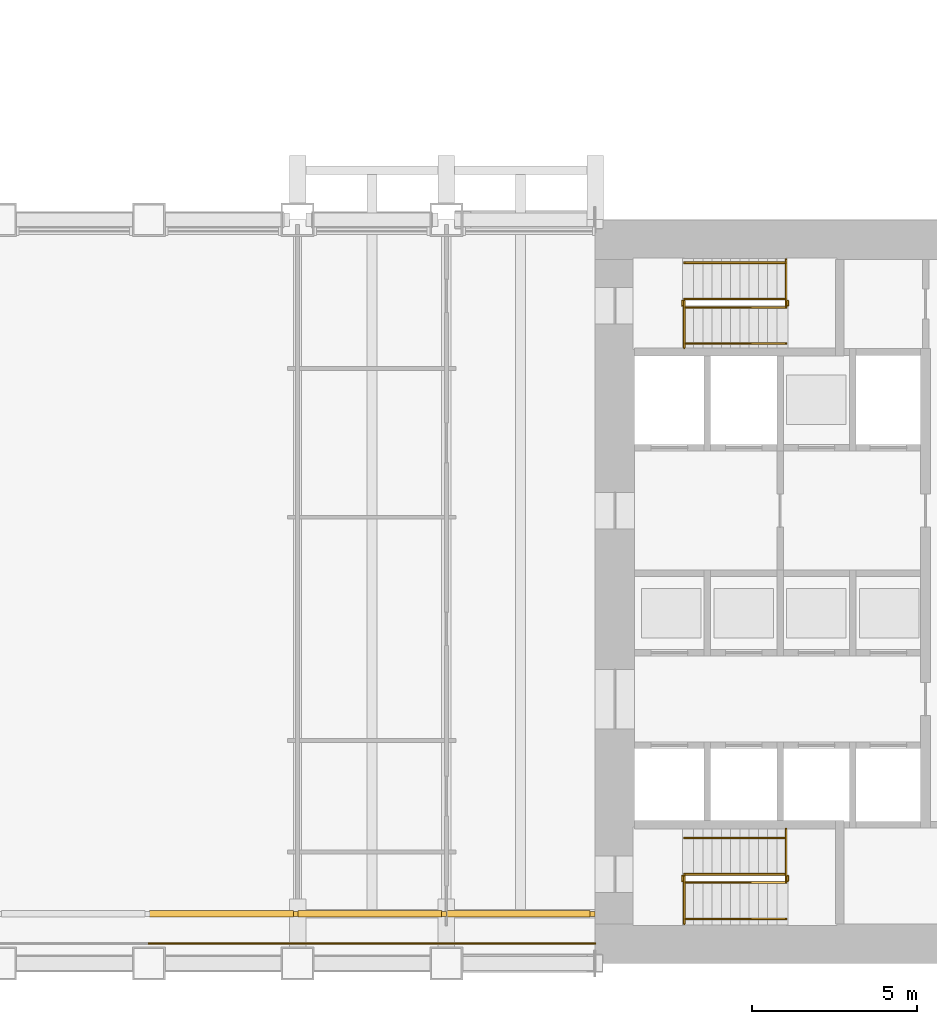
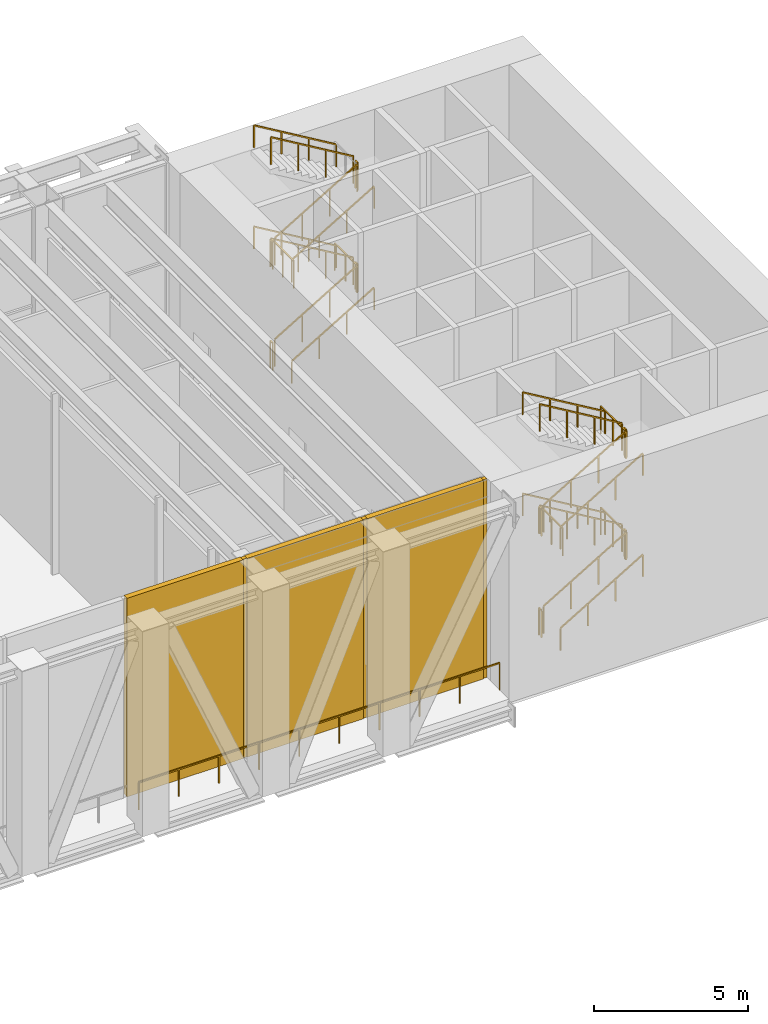
# One storey, part 18 of 21: 32 railings, 6 shading devices.
"""IFC4 building model written with IfcOpenShell, lengths in metres."""

from ifc_helpers import new_model, si_unit, direction, frame, origin, origin_2d, place, context, subcontext, project, spatial, rectangle, extrude, material, layer, layer_set, type_object, element, save


model = new_model("IFC4")

# Units and contexts
model_context = context("Model", 3, precision=1e-05, world=origin(), true_north=direction((0.0, 1.0)))
body_context = subcontext(model_context, "Body", "Model", "MODEL_VIEW")
ifc_project = project(units=[si_unit("LENGTHUNIT", "METRE"), si_unit("AREAUNIT", "SQUARE_METRE"), si_unit("VOLUMEUNIT", "CUBIC_METRE"), si_unit("PLANEANGLEUNIT", "RADIAN"), si_unit("MASSUNIT", "GRAM", prefix="KILO")], contexts=[model_context])

# Site, building, storey
site_placement = place(None, origin())
site = spatial("IfcSite", under=ifc_project, at=site_placement, CompositionType="ELEMENT")
building_placement = place(site_placement, origin())
building = spatial("IfcBuilding", under=site, at=building_placement, Name="Sennacour Bend Tower", CompositionType="ELEMENT")
storey_placement = place(building_placement, frame((0.0, 0.0, 131.0)))
storey = spatial("IfcBuildingStorey", under=building, at=storey_placement, Name="L30", CompositionType="ELEMENT", Elevation=131.0)

# Railings
ifc_material_1 = material(Name="Stainless steel 316", Category="steel")
railing_type_1 = type_object("IfcRailingType", Name="GUARD 1100", PredefinedType="GUARDRAIL", material=ifc_material_1)
railing_1_placement = place(storey_placement, frame((53.9990234375, 0.60009765625, 0.0)))
element("IfcRailing", 1, at=railing_1_placement, inside=storey, type_object=railing_type_1, Name="Guard L30", PredefinedType="GUARDRAIL", context=body_context, shape_type="SweptSolid", body=[
    extrude(rectangle(XDim=0.048095703125, YDim=0.048095703125, at=origin_2d()), frame((0.0, 0.0, 1.076171875), z_axis=(-1.0, 0.0, 0.0), x_axis=(0.0, -1.0, 0.0)), (0.0, 0.0, 1.0), 4.5),
    extrude(rectangle(XDim=0.0419921875, YDim=0.0419921875, at=origin_2d()), origin(), (0.0, 0.0, 1.0), 1.052001953125),
    extrude(rectangle(XDim=0.0419921875, YDim=0.0419921875, at=origin_2d()), frame((-1.5, 0.0, 0.0)), (0.0, 0.0, 1.0), 1.052001953125),
    extrude(rectangle(XDim=0.0419921875, YDim=0.0419921875, at=origin_2d()), frame((-3.0, 0.0, 0.0)), (0.0, 0.0, 1.0), 1.052001953125),
    extrude(rectangle(XDim=0.0419921875, YDim=0.0419921875, at=origin_2d()), frame((-4.5, 0.0, 0.0)), (0.0, 0.0, 1.0), 1.052001953125),
])
for number, where, name in (
    (2, (49.4990234375, 0.60009765625, 0.0), "Guard L30"),
    (3, (44.999267578125, 0.60009765625, 0.0), "Guard L30"),
):
    element("IfcRailing", number, at=place(storey_placement, frame(where)), inside=storey, type_object=railing_type_1, Name=name, PredefinedType="GUARDRAIL", context=body_context, shape_type="SweptSolid", body=[
        extrude(rectangle(XDim=0.048095703125, YDim=0.048095703125, at=origin_2d()), frame((0.0, 0.0, 1.076171875), z_axis=(-1.0, 0.0, 0.0), x_axis=(0.0, -1.0, 0.0)), (0.0, 0.0, 1.0), 4.499755859375),
        extrude(rectangle(XDim=0.0419921875, YDim=0.0419921875, at=origin_2d()), origin(), (0.0, 0.0, 1.0), 1.052001953125),
        extrude(rectangle(XDim=0.0419921875, YDim=0.0419921875, at=origin_2d()), frame((-1.5, 0.0, 0.0)), (0.0, 0.0, 1.0), 1.052001953125),
        extrude(rectangle(XDim=0.0419921875, YDim=0.0419921875, at=origin_2d()), frame((-2.999755859375, 0.0, 0.0)), (0.0, 0.0, 1.0), 1.052001953125),
        extrude(rectangle(XDim=0.0419921875, YDim=0.0419921875, at=origin_2d()), frame((-4.499755859375, 0.0, 0.0)), (0.0, 0.0, 1.0), 1.052001953125),
    ])

# Shading devices
ifc_material_2 = material(Name="Dark bronze anodised aluminium louvre", Category="aluminium")
ifc_layer = layer(ifc_material_2, 0.199951171875, Name="Dark bronze anodised aluminium louvre", Category="aluminium")
ifc_layer_set = layer_set([ifc_layer], Name="Dark bronze anodised aluminium louvre")
shading_device_type_1 = type_object("IfcShadingDeviceType", Name="LOUVRE BANK 200", PredefinedType="USERDEFINED", material=ifc_layer_set)
for number, where, z_axis, x_axis, name in (
    (4, (51.679443359375, 1.5, 0.0), (0.0, 0.0, 1.0), (-1.0, 0.0, 0.0), "Louvre bank L30"),
    (5, (47.190185546875, 1.5, 0.0), (0.0, 0.0, 1.0), (-1.0, 0.0, 0.0), "Louvre bank L30"),
    (6, (42.701171875, 1.5, 0.0), (0.0, 0.0, 1.0), (-1.0, 0.0, 0.0), "Louvre bank L30"),
):
    element("IfcShadingDevice", number, at=place(storey_placement, frame(where, z_axis=z_axis, x_axis=x_axis)), inside=storey, type_object=shading_device_type_1, Name=name, ObjectType="LOUVRE", PredefinedType="USERDEFINED", context=body_context, shape_type="SweptSolid", body=[
        extrude(rectangle(XDim=4.34912109375, YDim=0.199951171875, at=origin_2d()), origin(), (0.0, 0.0, 1.0), 7.85009765625),
    ])
shading_device_type_2 = type_object("IfcShadingDeviceType", Name="LOUVRE WALL POST 150", PredefinedType="USERDEFINED", material=ifc_material_2)
for number, where, z_axis, x_axis, name in (
    (7, (53.924072265625, 1.5, 0.0), (0.0, 0.0, 1.0), (1.0, 0.0, 0.0), "Louvre wall post L30"),
    (8, (49.434814453125, 1.5, 0.0), (0.0, 0.0, 1.0), (1.0, 0.0, 0.0), "Louvre wall post L30"),
    (9, (44.94580078125, 1.5, 0.0), (0.0, 0.0, 1.0), (1.0, 0.0, 0.0), "Louvre wall post L30"),
):
    element("IfcShadingDevice", number, at=place(storey_placement, frame(where, z_axis=z_axis, x_axis=x_axis)), inside=storey, type_object=shading_device_type_2, Name=name, ObjectType="LOUVRE", PredefinedType="USERDEFINED", context=body_context, shape_type="SweptSolid", body=[
        extrude(rectangle(XDim=0.14990234375, YDim=0.14990234375, at=origin_2d()), origin(), (0.0, 0.0, 1.0), 7.85009765625),
    ])

# Railings
ifc_material_3 = material(Name="Stainless steel", Category="steel")
railing_type_2 = type_object("IfcRailingType", Name="RL-GUARD-1100", PredefinedType="GUARDRAIL", material=ifc_material_3)
railing_2_placement = place(storey_placement, frame((56.699951171875, 2.449951171875, 0.166748046875)))
element("IfcRailing", 10, at=railing_2_placement, inside=storey, type_object=railing_type_2, Name="L30 SA1 stair guard 1", PredefinedType="GUARDRAIL", context=body_context, shape_type="SweptSolid", body=[
    extrude(rectangle(XDim=0.048095703125, YDim=0.048095703125, at=origin_2d()), frame((0.0, 0.0, 1.076171875), z_axis=(0.859308565015, 0.0, 0.511457515432), x_axis=(0.0, 1.0, 0.0)), (0.0, 0.0, 1.0), 3.58447265625),
    extrude(rectangle(XDim=0.0419921875, YDim=0.0419921875, at=origin_2d()), origin(), (0.0, 0.0, 1.0), 1.052001953125),
    extrude(rectangle(XDim=0.0419921875, YDim=0.0419921875, at=origin_2d()), frame((1.026611328125, 0.0, 0.611083984375)), (0.0, 0.0, 1.0), 1.052001953125),
    extrude(rectangle(XDim=0.0419921875, YDim=0.0419921875, at=origin_2d()), frame((2.053466796875, 0.0, 1.22216796875)), (0.0, 0.0, 1.0), 1.052001953125),
    extrude(rectangle(XDim=0.0419921875, YDim=0.0419921875, at=origin_2d()), frame((3.080078125, 0.0, 1.833251953125)), (0.0, 0.0, 1.0), 1.052001953125),
])
railing_3_placement = place(storey_placement, frame((59.830078125, 2.5, 2.0)))
element("IfcRailing", 11, at=railing_3_placement, inside=storey, type_object=railing_type_2, Name="L30 SA1 stair guard 2", PredefinedType="GUARDRAIL", context=body_context, shape_type="SweptSolid", body=[
    extrude(rectangle(XDim=0.048095703125, YDim=0.048095703125, at=origin_2d()), frame((0.0, 0.0, 1.076171875), z_axis=(0.0, 1.0, 0.0), x_axis=(-1.0, 0.0, 0.0)), (0.0, 0.0, 1.0), 0.14990234375),
    extrude(rectangle(XDim=0.0419921875, YDim=0.0419921875, at=origin_2d()), origin(), (0.0, 0.0, 1.0), 1.052001953125),
    extrude(rectangle(XDim=0.0419921875, YDim=0.0419921875, at=origin_2d()), frame((0.0, 0.14990234375, 0.0)), (0.0, 0.0, 1.0), 1.052001953125),
])
railing_4_placement = place(storey_placement, frame((59.780029296875, 2.699951171875, 2.166748046875)))
element("IfcRailing", 12, at=railing_4_placement, inside=storey, type_object=railing_type_2, Name="L30 SA1 stair guard 4", PredefinedType="GUARDRAIL", context=body_context, shape_type="SweptSolid", body=[
    extrude(rectangle(XDim=0.048095703125, YDim=0.048095703125, at=origin_2d()), frame((0.0, 0.0, 1.076171875), z_axis=(-0.859308565015, 0.0, 0.511457515432), x_axis=(0.0, -1.0, 0.0)), (0.0, 0.0, 1.0), 3.58447265625),
    extrude(rectangle(XDim=0.0419921875, YDim=0.0419921875, at=origin_2d()), origin(), (0.0, 0.0, 1.0), 1.052001953125),
    extrude(rectangle(XDim=0.0419921875, YDim=0.0419921875, at=origin_2d()), frame((-1.026611328125, 0.0, 0.611083984375)), (0.0, 0.0, 1.0), 1.052001953125),
    extrude(rectangle(XDim=0.0419921875, YDim=0.0419921875, at=origin_2d()), frame((-2.053466796875, 0.0, 1.22216796875)), (0.0, 0.0, 1.0), 1.052001953125),
    extrude(rectangle(XDim=0.0419921875, YDim=0.0419921875, at=origin_2d()), frame((-3.080078125, 0.0, 1.833251953125)), (0.0, 0.0, 1.0), 1.052001953125),
])
railing_5_placement = place(storey_placement, frame((56.64990234375, 2.5, 4.0)))
element("IfcRailing", 13, at=railing_5_placement, inside=storey, type_object=railing_type_2, Name="L30 SA1 stair guard 5", PredefinedType="GUARDRAIL", context=body_context, shape_type="SweptSolid", body=[
    extrude(rectangle(XDim=0.048095703125, YDim=0.048095703125, at=origin_2d()), frame((0.0, 0.0, 1.076171875), z_axis=(0.0, 1.0, 0.0), x_axis=(-1.0, 0.0, 0.0)), (0.0, 0.0, 1.0), 0.14990234375),
    extrude(rectangle(XDim=0.0419921875, YDim=0.0419921875, at=origin_2d()), origin(), (0.0, 0.0, 1.0), 1.052001953125),
    extrude(rectangle(XDim=0.0419921875, YDim=0.0419921875, at=origin_2d()), frame((0.0, 0.14990234375, 0.0)), (0.0, 0.0, 1.0), 1.052001953125),
])
railing_6_placement = place(storey_placement, frame((56.699951171875, 2.449951171875, 4.166748046875)))
element("IfcRailing", 14, at=railing_6_placement, inside=storey, type_object=railing_type_2, Name="L30 SA1 stair guard 8", PredefinedType="GUARDRAIL", context=body_context, shape_type="SweptSolid", body=[
    extrude(rectangle(XDim=0.048095703125, YDim=0.048095703125, at=origin_2d()), frame((0.0, 0.0, 1.076171875), z_axis=(0.859308565015, 0.0, 0.511457515432), x_axis=(0.0, 1.0, 0.0)), (0.0, 0.0, 1.0), 3.58447265625),
    extrude(rectangle(XDim=0.0419921875, YDim=0.0419921875, at=origin_2d()), origin(), (0.0, 0.0, 1.0), 1.052001953125),
    extrude(rectangle(XDim=0.0419921875, YDim=0.0419921875, at=origin_2d()), frame((1.026611328125, 0.0, 0.611083984375)), (0.0, 0.0, 1.0), 1.052001953125),
    extrude(rectangle(XDim=0.0419921875, YDim=0.0419921875, at=origin_2d()), frame((2.053466796875, 0.0, 1.22216796875)), (0.0, 0.0, 1.0), 1.052001953125),
    extrude(rectangle(XDim=0.0419921875, YDim=0.0419921875, at=origin_2d()), frame((3.080078125, 0.0, 1.833251953125)), (0.0, 0.0, 1.0), 1.052001953125),
])
railing_7_placement = place(storey_placement, frame((59.830078125, 2.5, 6.0)))
element("IfcRailing", 15, at=railing_7_placement, inside=storey, type_object=railing_type_2, Name="L30 SA1 stair guard 9", PredefinedType="GUARDRAIL", context=body_context, shape_type="SweptSolid", body=[
    extrude(rectangle(XDim=0.048095703125, YDim=0.048095703125, at=origin_2d()), frame((0.0, 0.0, 1.076171875), z_axis=(0.0, 1.0, 0.0), x_axis=(-1.0, 0.0, 0.0)), (0.0, 0.0, 1.0), 0.14990234375),
    extrude(rectangle(XDim=0.0419921875, YDim=0.0419921875, at=origin_2d()), origin(), (0.0, 0.0, 1.0), 1.052001953125),
    extrude(rectangle(XDim=0.0419921875, YDim=0.0419921875, at=origin_2d()), frame((0.0, 0.14990234375, 0.0)), (0.0, 0.0, 1.0), 1.052001953125),
])
railing_8_placement = place(storey_placement, frame((59.780029296875, 2.699951171875, 6.166748046875)))
element("IfcRailing", 16, at=railing_8_placement, inside=storey, type_object=railing_type_2, Name="L30 SA1 stair guard 11", PredefinedType="GUARDRAIL", context=body_context, shape_type="SweptSolid", body=[
    extrude(rectangle(XDim=0.048095703125, YDim=0.048095703125, at=origin_2d()), frame((0.0, 0.0, 1.076171875), z_axis=(-0.859308565015, 0.0, 0.511457515432), x_axis=(0.0, -1.0, 0.0)), (0.0, 0.0, 1.0), 3.58447265625),
    extrude(rectangle(XDim=0.0419921875, YDim=0.0419921875, at=origin_2d()), origin(), (0.0, 0.0, 1.0), 1.052001953125),
    extrude(rectangle(XDim=0.0419921875, YDim=0.0419921875, at=origin_2d()), frame((-1.026611328125, 0.0, 0.611083984375)), (0.0, 0.0, 1.0), 1.052001953125),
    extrude(rectangle(XDim=0.0419921875, YDim=0.0419921875, at=origin_2d()), frame((-2.053466796875, 0.0, 1.22216796875)), (0.0, 0.0, 1.0), 1.052001953125),
    extrude(rectangle(XDim=0.0419921875, YDim=0.0419921875, at=origin_2d()), frame((-3.080078125, 0.0, 1.833251953125)), (0.0, 0.0, 1.0), 1.052001953125),
])
railing_9_placement = place(storey_placement, frame((56.64990234375, 2.5, 0.0)))
element("IfcRailing", 17, at=railing_9_placement, inside=storey, type_object=railing_type_2, Name="L30 SA1 stair guard 12", PredefinedType="GUARDRAIL", context=body_context, shape_type="SweptSolid", body=[
    extrude(rectangle(XDim=0.048095703125, YDim=0.048095703125, at=origin_2d()), frame((0.0, 0.0, 1.076171875), z_axis=(0.0, 1.0, 0.0), x_axis=(-1.0, 0.0, 0.0)), (0.0, 0.0, 1.0), 0.14990234375),
    extrude(rectangle(XDim=0.0419921875, YDim=0.0419921875, at=origin_2d()), origin(), (0.0, 0.0, 1.0), 1.052001953125),
    extrude(rectangle(XDim=0.0419921875, YDim=0.0419921875, at=origin_2d()), frame((0.0, 0.14990234375, 0.0)), (0.0, 0.0, 1.0), 1.052001953125),
])
railing_10_placement = place(storey_placement, frame((59.780029296875, 2.5, 2.0)))
element("IfcRailing", 18, at=railing_10_placement, inside=storey, type_object=railing_type_2, Name="L30 SA1 landing edge guard 48", PredefinedType="GUARDRAIL", context=body_context, shape_type="SweptSolid", body=[
    extrude(rectangle(XDim=0.048095703125, YDim=0.048095703125, at=origin_2d()), frame((0.0, 0.0, 1.076171875), z_axis=(0.0, 1.0, 0.0), x_axis=(-1.0, 0.0, 0.0)), (0.0, 0.0, 1.0), 1.574951171875),
    extrude(rectangle(XDim=0.0419921875, YDim=0.0419921875, at=origin_2d()), origin(), (0.0, 0.0, 1.0), 1.052001953125),
    extrude(rectangle(XDim=0.0419921875, YDim=0.0419921875, at=origin_2d()), frame((0.0, 0.78759765625, 0.0)), (0.0, 0.0, 1.0), 1.052001953125),
    extrude(rectangle(XDim=0.0419921875, YDim=0.0419921875, at=origin_2d()), frame((0.0, 1.574951171875, 0.0)), (0.0, 0.0, 1.0), 1.052001953125),
])
railing_11_placement = place(storey_placement, frame((56.699951171875, 2.64990234375, 4.0)))
element("IfcRailing", 19, at=railing_11_placement, inside=storey, type_object=railing_type_2, Name="L30 SA1 landing edge guard 49", PredefinedType="GUARDRAIL", context=body_context, shape_type="SweptSolid", body=[
    extrude(rectangle(XDim=0.048095703125, YDim=0.048095703125, at=origin_2d()), frame((0.0, 0.0, 1.076171875), z_axis=(0.0, -1.0, 0.0), x_axis=(1.0, 0.0, 0.0)), (0.0, 0.0, 1.0), 1.449951171875),
    extrude(rectangle(XDim=0.0419921875, YDim=0.0419921875, at=origin_2d()), origin(), (0.0, 0.0, 1.0), 1.052001953125),
    extrude(rectangle(XDim=0.0419921875, YDim=0.0419921875, at=origin_2d()), frame((0.0, -0.72509765625, 0.0)), (0.0, 0.0, 1.0), 1.052001953125),
    extrude(rectangle(XDim=0.0419921875, YDim=0.0419921875, at=origin_2d()), frame((0.0, -1.449951171875, 0.0)), (0.0, 0.0, 1.0), 1.052001953125),
])
railing_12_placement = place(storey_placement, frame((59.780029296875, 2.5, 6.0)))
element("IfcRailing", 20, at=railing_12_placement, inside=storey, type_object=railing_type_2, Name="L30 SA1 landing edge guard 50", PredefinedType="GUARDRAIL", context=body_context, shape_type="SweptSolid", body=[
    extrude(rectangle(XDim=0.048095703125, YDim=0.048095703125, at=origin_2d()), frame((0.0, 0.0, 1.076171875), z_axis=(0.0, 1.0, 0.0), x_axis=(-1.0, 0.0, 0.0)), (0.0, 0.0, 1.0), 1.574951171875),
    extrude(rectangle(XDim=0.0419921875, YDim=0.0419921875, at=origin_2d()), origin(), (0.0, 0.0, 1.0), 1.052001953125),
    extrude(rectangle(XDim=0.0419921875, YDim=0.0419921875, at=origin_2d()), frame((0.0, 0.78759765625, 0.0)), (0.0, 0.0, 1.0), 1.052001953125),
    extrude(rectangle(XDim=0.0419921875, YDim=0.0419921875, at=origin_2d()), frame((0.0, 1.574951171875, 0.0)), (0.0, 0.0, 1.0), 1.052001953125),
])
railing_13_placement = place(storey_placement, frame((56.699951171875, 19.85009765625, 0.166748046875)))
element("IfcRailing", 21, at=railing_13_placement, inside=storey, type_object=railing_type_2, Name="L30 SA2 stair guard 1", PredefinedType="GUARDRAIL", context=body_context, shape_type="SweptSolid", body=[
    extrude(rectangle(XDim=0.048095703125, YDim=0.048095703125, at=origin_2d()), frame((0.0, 0.0, 1.076171875), z_axis=(0.859308565015, 0.0, 0.511457515432), x_axis=(0.0, 1.0, 0.0)), (0.0, 0.0, 1.0), 3.58447265625),
    extrude(rectangle(XDim=0.0419921875, YDim=0.0419921875, at=origin_2d()), origin(), (0.0, 0.0, 1.0), 1.052001953125),
    extrude(rectangle(XDim=0.0419921875, YDim=0.0419921875, at=origin_2d()), frame((1.026611328125, 0.0, 0.611083984375)), (0.0, 0.0, 1.0), 1.052001953125),
    extrude(rectangle(XDim=0.0419921875, YDim=0.0419921875, at=origin_2d()), frame((2.053466796875, 0.0, 1.22216796875)), (0.0, 0.0, 1.0), 1.052001953125),
    extrude(rectangle(XDim=0.0419921875, YDim=0.0419921875, at=origin_2d()), frame((3.080078125, 0.0, 1.833251953125)), (0.0, 0.0, 1.0), 1.052001953125),
])
railing_14_placement = place(storey_placement, frame((59.830078125, 19.89990234375, 2.0)))
element("IfcRailing", 22, at=railing_14_placement, inside=storey, type_object=railing_type_2, Name="L30 SA2 stair guard 2", PredefinedType="GUARDRAIL", context=body_context, shape_type="SweptSolid", body=[
    extrude(rectangle(XDim=0.048095703125, YDim=0.048095703125, at=origin_2d()), frame((0.0, 0.0, 1.076171875), z_axis=(0.0, 1.0, 0.0), x_axis=(-1.0, 0.0, 0.0)), (0.0, 0.0, 1.0), 0.150146484375),
    extrude(rectangle(XDim=0.0419921875, YDim=0.0419921875, at=origin_2d()), origin(), (0.0, 0.0, 1.0), 1.052001953125),
    extrude(rectangle(XDim=0.0419921875, YDim=0.0419921875, at=origin_2d()), frame((0.0, 0.150146484375, 0.0)), (0.0, 0.0, 1.0), 1.052001953125),
])
railing_15_placement = place(storey_placement, frame((59.780029296875, 20.10009765625, 2.166748046875)))
element("IfcRailing", 23, at=railing_15_placement, inside=storey, type_object=railing_type_2, Name="L30 SA2 stair guard 4", PredefinedType="GUARDRAIL", context=body_context, shape_type="SweptSolid", body=[
    extrude(rectangle(XDim=0.048095703125, YDim=0.048095703125, at=origin_2d()), frame((0.0, 0.0, 1.076171875), z_axis=(-0.859308565015, 0.0, 0.511457515432), x_axis=(0.0, -1.0, 0.0)), (0.0, 0.0, 1.0), 3.58447265625),
    extrude(rectangle(XDim=0.0419921875, YDim=0.0419921875, at=origin_2d()), origin(), (0.0, 0.0, 1.0), 1.052001953125),
    extrude(rectangle(XDim=0.0419921875, YDim=0.0419921875, at=origin_2d()), frame((-1.026611328125, 0.0, 0.611083984375)), (0.0, 0.0, 1.0), 1.052001953125),
    extrude(rectangle(XDim=0.0419921875, YDim=0.0419921875, at=origin_2d()), frame((-2.053466796875, 0.0, 1.22216796875)), (0.0, 0.0, 1.0), 1.052001953125),
    extrude(rectangle(XDim=0.0419921875, YDim=0.0419921875, at=origin_2d()), frame((-3.080078125, 0.0, 1.833251953125)), (0.0, 0.0, 1.0), 1.052001953125),
])
railing_16_placement = place(storey_placement, frame((56.64990234375, 19.89990234375, 4.0)))
element("IfcRailing", 24, at=railing_16_placement, inside=storey, type_object=railing_type_2, Name="L30 SA2 stair guard 5", PredefinedType="GUARDRAIL", context=body_context, shape_type="SweptSolid", body=[
    extrude(rectangle(XDim=0.048095703125, YDim=0.048095703125, at=origin_2d()), frame((0.0, 0.0, 1.076171875), z_axis=(0.0, 1.0, 0.0), x_axis=(-1.0, 0.0, 0.0)), (0.0, 0.0, 1.0), 0.150146484375),
    extrude(rectangle(XDim=0.0419921875, YDim=0.0419921875, at=origin_2d()), origin(), (0.0, 0.0, 1.0), 1.052001953125),
    extrude(rectangle(XDim=0.0419921875, YDim=0.0419921875, at=origin_2d()), frame((0.0, 0.150146484375, 0.0)), (0.0, 0.0, 1.0), 1.052001953125),
])
railing_17_placement = place(storey_placement, frame((56.699951171875, 19.85009765625, 4.166748046875)))
element("IfcRailing", 25, at=railing_17_placement, inside=storey, type_object=railing_type_2, Name="L30 SA2 stair guard 8", PredefinedType="GUARDRAIL", context=body_context, shape_type="SweptSolid", body=[
    extrude(rectangle(XDim=0.048095703125, YDim=0.048095703125, at=origin_2d()), frame((0.0, 0.0, 1.076171875), z_axis=(0.859308565015, 0.0, 0.511457515432), x_axis=(0.0, 1.0, 0.0)), (0.0, 0.0, 1.0), 3.58447265625),
    extrude(rectangle(XDim=0.0419921875, YDim=0.0419921875, at=origin_2d()), origin(), (0.0, 0.0, 1.0), 1.052001953125),
    extrude(rectangle(XDim=0.0419921875, YDim=0.0419921875, at=origin_2d()), frame((1.026611328125, 0.0, 0.611083984375)), (0.0, 0.0, 1.0), 1.052001953125),
    extrude(rectangle(XDim=0.0419921875, YDim=0.0419921875, at=origin_2d()), frame((2.053466796875, 0.0, 1.22216796875)), (0.0, 0.0, 1.0), 1.052001953125),
    extrude(rectangle(XDim=0.0419921875, YDim=0.0419921875, at=origin_2d()), frame((3.080078125, 0.0, 1.833251953125)), (0.0, 0.0, 1.0), 1.052001953125),
])
railing_18_placement = place(storey_placement, frame((59.830078125, 19.89990234375, 6.0)))
element("IfcRailing", 26, at=railing_18_placement, inside=storey, type_object=railing_type_2, Name="L30 SA2 stair guard 9", PredefinedType="GUARDRAIL", context=body_context, shape_type="SweptSolid", body=[
    extrude(rectangle(XDim=0.048095703125, YDim=0.048095703125, at=origin_2d()), frame((0.0, 0.0, 1.076171875), z_axis=(0.0, 1.0, 0.0), x_axis=(-1.0, 0.0, 0.0)), (0.0, 0.0, 1.0), 0.150146484375),
    extrude(rectangle(XDim=0.0419921875, YDim=0.0419921875, at=origin_2d()), origin(), (0.0, 0.0, 1.0), 1.052001953125),
    extrude(rectangle(XDim=0.0419921875, YDim=0.0419921875, at=origin_2d()), frame((0.0, 0.150146484375, 0.0)), (0.0, 0.0, 1.0), 1.052001953125),
])
railing_19_placement = place(storey_placement, frame((59.780029296875, 20.10009765625, 6.166748046875)))
element("IfcRailing", 27, at=railing_19_placement, inside=storey, type_object=railing_type_2, Name="L30 SA2 stair guard 11", PredefinedType="GUARDRAIL", context=body_context, shape_type="SweptSolid", body=[
    extrude(rectangle(XDim=0.048095703125, YDim=0.048095703125, at=origin_2d()), frame((0.0, 0.0, 1.076171875), z_axis=(-0.859308565015, 0.0, 0.511457515432), x_axis=(0.0, -1.0, 0.0)), (0.0, 0.0, 1.0), 3.58447265625),
    extrude(rectangle(XDim=0.0419921875, YDim=0.0419921875, at=origin_2d()), origin(), (0.0, 0.0, 1.0), 1.052001953125),
    extrude(rectangle(XDim=0.0419921875, YDim=0.0419921875, at=origin_2d()), frame((-1.026611328125, 0.0, 0.611083984375)), (0.0, 0.0, 1.0), 1.052001953125),
    extrude(rectangle(XDim=0.0419921875, YDim=0.0419921875, at=origin_2d()), frame((-2.053466796875, 0.0, 1.22216796875)), (0.0, 0.0, 1.0), 1.052001953125),
    extrude(rectangle(XDim=0.0419921875, YDim=0.0419921875, at=origin_2d()), frame((-3.080078125, 0.0, 1.833251953125)), (0.0, 0.0, 1.0), 1.052001953125),
])
railing_20_placement = place(storey_placement, frame((56.64990234375, 19.89990234375, 0.0)))
element("IfcRailing", 28, at=railing_20_placement, inside=storey, type_object=railing_type_2, Name="L30 SA2 stair guard 12", PredefinedType="GUARDRAIL", context=body_context, shape_type="SweptSolid", body=[
    extrude(rectangle(XDim=0.048095703125, YDim=0.048095703125, at=origin_2d()), frame((0.0, 0.0, 1.076171875), z_axis=(0.0, 1.0, 0.0), x_axis=(-1.0, 0.0, 0.0)), (0.0, 0.0, 1.0), 0.150146484375),
    extrude(rectangle(XDim=0.0419921875, YDim=0.0419921875, at=origin_2d()), origin(), (0.0, 0.0, 1.0), 1.052001953125),
    extrude(rectangle(XDim=0.0419921875, YDim=0.0419921875, at=origin_2d()), frame((0.0, 0.150146484375, 0.0)), (0.0, 0.0, 1.0), 1.052001953125),
])
railing_21_placement = place(storey_placement, frame((59.780029296875, 19.89990234375, 2.0)))
element("IfcRailing", 29, at=railing_21_placement, inside=storey, type_object=railing_type_2, Name="L30 SA2 landing edge guard 43", PredefinedType="GUARDRAIL", context=body_context, shape_type="SweptSolid", body=[
    extrude(rectangle(XDim=0.048095703125, YDim=0.048095703125, at=origin_2d()), frame((0.0, 0.0, 1.076171875), z_axis=(0.0, 1.0, 0.0), x_axis=(-1.0, 0.0, 0.0)), (0.0, 0.0, 1.0), 1.400146484375),
    extrude(rectangle(XDim=0.0419921875, YDim=0.0419921875, at=origin_2d()), origin(), (0.0, 0.0, 1.0), 1.052001953125),
    extrude(rectangle(XDim=0.0419921875, YDim=0.0419921875, at=origin_2d()), frame((0.0, 0.7001953125, 0.0)), (0.0, 0.0, 1.0), 1.052001953125),
    extrude(rectangle(XDim=0.0419921875, YDim=0.0419921875, at=origin_2d()), frame((0.0, 1.400146484375, 0.0)), (0.0, 0.0, 1.0), 1.052001953125),
])
railing_22_placement = place(storey_placement, frame((56.699951171875, 20.050048828125, 4.0)))
element("IfcRailing", 30, at=railing_22_placement, inside=storey, type_object=railing_type_2, Name="L30 SA2 landing edge guard 44", PredefinedType="GUARDRAIL", context=body_context, shape_type="SweptSolid", body=[
    extrude(rectangle(XDim=0.048095703125, YDim=0.048095703125, at=origin_2d()), frame((0.0, 0.0, 1.076171875), z_axis=(0.0, -1.0, 0.0), x_axis=(1.0, 0.0, 0.0)), (0.0, 0.0, 1.0), 1.425048828125),
    extrude(rectangle(XDim=0.0419921875, YDim=0.0419921875, at=origin_2d()), origin(), (0.0, 0.0, 1.0), 1.052001953125),
    extrude(rectangle(XDim=0.0419921875, YDim=0.0419921875, at=origin_2d()), frame((0.0, -0.71240234375, 0.0)), (0.0, 0.0, 1.0), 1.052001953125),
    extrude(rectangle(XDim=0.0419921875, YDim=0.0419921875, at=origin_2d()), frame((0.0, -1.425048828125, 0.0)), (0.0, 0.0, 1.0), 1.052001953125),
])
railing_type_3 = type_object("IfcRailingType", Name="RL-HANDRAIL-900", PredefinedType="HANDRAIL", material=ifc_material_3)
railing_23_placement = place(storey_placement, frame((56.699951171875, 1.35009765625, 0.166748046875)))
element("IfcRailing", 31, at=railing_23_placement, inside=storey, type_object=railing_type_3, Name="L30 SA1 stair handrail 1", PredefinedType="HANDRAIL", context=body_context, shape_type="SweptSolid", body=[
    extrude(rectangle(XDim=0.048095703125, YDim=0.048095703125, at=origin_2d()), frame((0.0, 0.0, 0.8759765625), z_axis=(0.859308565015, 0.0, 0.511457515432), x_axis=(0.0, 1.0, 0.0)), (0.0, 0.0, 1.0), 3.58447265625),
    extrude(rectangle(XDim=0.0419921875, YDim=0.0419921875, at=origin_2d()), origin(), (0.0, 0.0, 1.0), 0.851806640625),
    extrude(rectangle(XDim=0.0419921875, YDim=0.0419921875, at=origin_2d()), frame((1.026611328125, 0.0, 0.611083984375)), (0.0, 0.0, 1.0), 0.851806640625),
    extrude(rectangle(XDim=0.0419921875, YDim=0.0419921875, at=origin_2d()), frame((2.053466796875, 0.0, 1.22216796875)), (0.0, 0.0, 1.0), 0.851806640625),
    extrude(rectangle(XDim=0.0419921875, YDim=0.0419921875, at=origin_2d()), frame((3.080078125, 0.0, 1.833251953125)), (0.0, 0.0, 1.0), 0.851806640625),
])
railing_24_placement = place(storey_placement, frame((59.780029296875, 3.800048828125, 2.166748046875)))
element("IfcRailing", 32, at=railing_24_placement, inside=storey, type_object=railing_type_3, Name="L30 SA1 stair handrail 2", PredefinedType="HANDRAIL", context=body_context, shape_type="SweptSolid", body=[
    extrude(rectangle(XDim=0.048095703125, YDim=0.048095703125, at=origin_2d()), frame((0.0, 0.0, 0.8759765625), z_axis=(-0.859308565015, 0.0, 0.511457515432), x_axis=(0.0, -1.0, 0.0)), (0.0, 0.0, 1.0), 3.58447265625),
    extrude(rectangle(XDim=0.0419921875, YDim=0.0419921875, at=origin_2d()), origin(), (0.0, 0.0, 1.0), 0.851806640625),
    extrude(rectangle(XDim=0.0419921875, YDim=0.0419921875, at=origin_2d()), frame((-1.026611328125, 0.0, 0.611083984375)), (0.0, 0.0, 1.0), 0.851806640625),
    extrude(rectangle(XDim=0.0419921875, YDim=0.0419921875, at=origin_2d()), frame((-2.053466796875, 0.0, 1.22216796875)), (0.0, 0.0, 1.0), 0.851806640625),
    extrude(rectangle(XDim=0.0419921875, YDim=0.0419921875, at=origin_2d()), frame((-3.080078125, 0.0, 1.833251953125)), (0.0, 0.0, 1.0), 0.851806640625),
])
railing_25_placement = place(storey_placement, frame((56.699951171875, 1.35009765625, 4.166748046875)))
element("IfcRailing", 33, at=railing_25_placement, inside=storey, type_object=railing_type_3, Name="L30 SA1 stair handrail 3", PredefinedType="HANDRAIL", context=body_context, shape_type="SweptSolid", body=[
    extrude(rectangle(XDim=0.048095703125, YDim=0.048095703125, at=origin_2d()), frame((0.0, 0.0, 0.8759765625), z_axis=(0.859308565015, 0.0, 0.511457515432), x_axis=(0.0, 1.0, 0.0)), (0.0, 0.0, 1.0), 3.58447265625),
    extrude(rectangle(XDim=0.0419921875, YDim=0.0419921875, at=origin_2d()), origin(), (0.0, 0.0, 1.0), 0.851806640625),
    extrude(rectangle(XDim=0.0419921875, YDim=0.0419921875, at=origin_2d()), frame((1.026611328125, 0.0, 0.611083984375)), (0.0, 0.0, 1.0), 0.851806640625),
    extrude(rectangle(XDim=0.0419921875, YDim=0.0419921875, at=origin_2d()), frame((2.053466796875, 0.0, 1.22216796875)), (0.0, 0.0, 1.0), 0.851806640625),
    extrude(rectangle(XDim=0.0419921875, YDim=0.0419921875, at=origin_2d()), frame((3.080078125, 0.0, 1.833251953125)), (0.0, 0.0, 1.0), 0.851806640625),
])
railing_26_placement = place(storey_placement, frame((59.780029296875, 3.800048828125, 6.166748046875)))
element("IfcRailing", 34, at=railing_26_placement, inside=storey, type_object=railing_type_3, Name="L30 SA1 stair handrail 4", PredefinedType="HANDRAIL", context=body_context, shape_type="SweptSolid", body=[
    extrude(rectangle(XDim=0.048095703125, YDim=0.048095703125, at=origin_2d()), frame((0.0, 0.0, 0.8759765625), z_axis=(-0.859308565015, 0.0, 0.511457515432), x_axis=(0.0, -1.0, 0.0)), (0.0, 0.0, 1.0), 3.58447265625),
    extrude(rectangle(XDim=0.0419921875, YDim=0.0419921875, at=origin_2d()), origin(), (0.0, 0.0, 1.0), 0.851806640625),
    extrude(rectangle(XDim=0.0419921875, YDim=0.0419921875, at=origin_2d()), frame((-1.026611328125, 0.0, 0.611083984375)), (0.0, 0.0, 1.0), 0.851806640625),
    extrude(rectangle(XDim=0.0419921875, YDim=0.0419921875, at=origin_2d()), frame((-2.053466796875, 0.0, 1.22216796875)), (0.0, 0.0, 1.0), 0.851806640625),
    extrude(rectangle(XDim=0.0419921875, YDim=0.0419921875, at=origin_2d()), frame((-3.080078125, 0.0, 1.833251953125)), (0.0, 0.0, 1.0), 0.851806640625),
])
railing_27_placement = place(storey_placement, frame((56.699951171875, 18.75, 0.166748046875)))
element("IfcRailing", 35, at=railing_27_placement, inside=storey, type_object=railing_type_3, Name="L30 SA2 stair handrail 1", PredefinedType="HANDRAIL", context=body_context, shape_type="SweptSolid", body=[
    extrude(rectangle(XDim=0.048095703125, YDim=0.048095703125, at=origin_2d()), frame((0.0, 0.0, 0.8759765625), z_axis=(0.859308565015, 0.0, 0.511457515432), x_axis=(0.0, 1.0, 0.0)), (0.0, 0.0, 1.0), 3.58447265625),
    extrude(rectangle(XDim=0.0419921875, YDim=0.0419921875, at=origin_2d()), origin(), (0.0, 0.0, 1.0), 0.851806640625),
    extrude(rectangle(XDim=0.0419921875, YDim=0.0419921875, at=origin_2d()), frame((1.026611328125, 0.0, 0.611083984375)), (0.0, 0.0, 1.0), 0.851806640625),
    extrude(rectangle(XDim=0.0419921875, YDim=0.0419921875, at=origin_2d()), frame((2.053466796875, 0.0, 1.22216796875)), (0.0, 0.0, 1.0), 0.851806640625),
    extrude(rectangle(XDim=0.0419921875, YDim=0.0419921875, at=origin_2d()), frame((3.080078125, 0.0, 1.833251953125)), (0.0, 0.0, 1.0), 0.851806640625),
])
railing_28_placement = place(storey_placement, frame((59.780029296875, 21.199951171875, 2.166748046875)))
element("IfcRailing", 36, at=railing_28_placement, inside=storey, type_object=railing_type_3, Name="L30 SA2 stair handrail 2", PredefinedType="HANDRAIL", context=body_context, shape_type="SweptSolid", body=[
    extrude(rectangle(XDim=0.048095703125, YDim=0.048095703125, at=origin_2d()), frame((0.0, 0.0, 0.8759765625), z_axis=(-0.859308565015, 0.0, 0.511457515432), x_axis=(0.0, -1.0, 0.0)), (0.0, 0.0, 1.0), 3.58447265625),
    extrude(rectangle(XDim=0.0419921875, YDim=0.0419921875, at=origin_2d()), origin(), (0.0, 0.0, 1.0), 0.851806640625),
    extrude(rectangle(XDim=0.0419921875, YDim=0.0419921875, at=origin_2d()), frame((-1.026611328125, 0.0, 0.611083984375)), (0.0, 0.0, 1.0), 0.851806640625),
    extrude(rectangle(XDim=0.0419921875, YDim=0.0419921875, at=origin_2d()), frame((-2.053466796875, 0.0, 1.22216796875)), (0.0, 0.0, 1.0), 0.851806640625),
    extrude(rectangle(XDim=0.0419921875, YDim=0.0419921875, at=origin_2d()), frame((-3.080078125, 0.0, 1.833251953125)), (0.0, 0.0, 1.0), 0.851806640625),
])
railing_29_placement = place(storey_placement, frame((56.699951171875, 18.75, 4.166748046875)))
element("IfcRailing", 37, at=railing_29_placement, inside=storey, type_object=railing_type_3, Name="L30 SA2 stair handrail 3", PredefinedType="HANDRAIL", context=body_context, shape_type="SweptSolid", body=[
    extrude(rectangle(XDim=0.048095703125, YDim=0.048095703125, at=origin_2d()), frame((0.0, 0.0, 0.8759765625), z_axis=(0.859308565015, 0.0, 0.511457515432), x_axis=(0.0, 1.0, 0.0)), (0.0, 0.0, 1.0), 3.58447265625),
    extrude(rectangle(XDim=0.0419921875, YDim=0.0419921875, at=origin_2d()), origin(), (0.0, 0.0, 1.0), 0.851806640625),
    extrude(rectangle(XDim=0.0419921875, YDim=0.0419921875, at=origin_2d()), frame((1.026611328125, 0.0, 0.611083984375)), (0.0, 0.0, 1.0), 0.851806640625),
    extrude(rectangle(XDim=0.0419921875, YDim=0.0419921875, at=origin_2d()), frame((2.053466796875, 0.0, 1.22216796875)), (0.0, 0.0, 1.0), 0.851806640625),
    extrude(rectangle(XDim=0.0419921875, YDim=0.0419921875, at=origin_2d()), frame((3.080078125, 0.0, 1.833251953125)), (0.0, 0.0, 1.0), 0.851806640625),
])
railing_30_placement = place(storey_placement, frame((59.780029296875, 21.199951171875, 6.166748046875)))
element("IfcRailing", 38, at=railing_30_placement, inside=storey, type_object=railing_type_3, Name="L30 SA2 stair handrail 4", PredefinedType="HANDRAIL", context=body_context, shape_type="SweptSolid", body=[
    extrude(rectangle(XDim=0.048095703125, YDim=0.048095703125, at=origin_2d()), frame((0.0, 0.0, 0.8759765625), z_axis=(-0.859308565015, 0.0, 0.511457515432), x_axis=(0.0, -1.0, 0.0)), (0.0, 0.0, 1.0), 3.58447265625),
    extrude(rectangle(XDim=0.0419921875, YDim=0.0419921875, at=origin_2d()), origin(), (0.0, 0.0, 1.0), 0.851806640625),
    extrude(rectangle(XDim=0.0419921875, YDim=0.0419921875, at=origin_2d()), frame((-1.026611328125, 0.0, 0.611083984375)), (0.0, 0.0, 1.0), 0.851806640625),
    extrude(rectangle(XDim=0.0419921875, YDim=0.0419921875, at=origin_2d()), frame((-2.053466796875, 0.0, 1.22216796875)), (0.0, 0.0, 1.0), 0.851806640625),
    extrude(rectangle(XDim=0.0419921875, YDim=0.0419921875, at=origin_2d()), frame((-3.080078125, 0.0, 1.833251953125)), (0.0, 0.0, 1.0), 0.851806640625),
])

save(model, "model.ifc")
